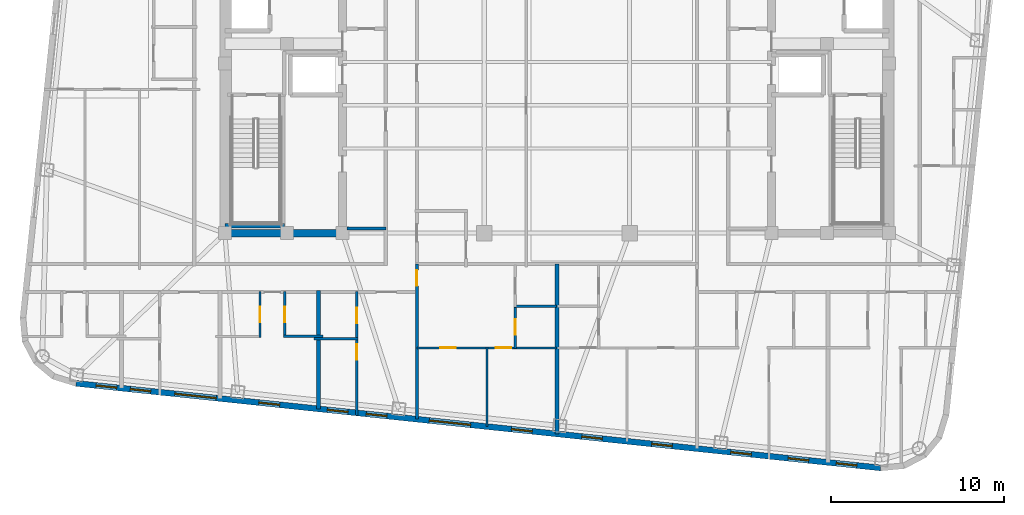
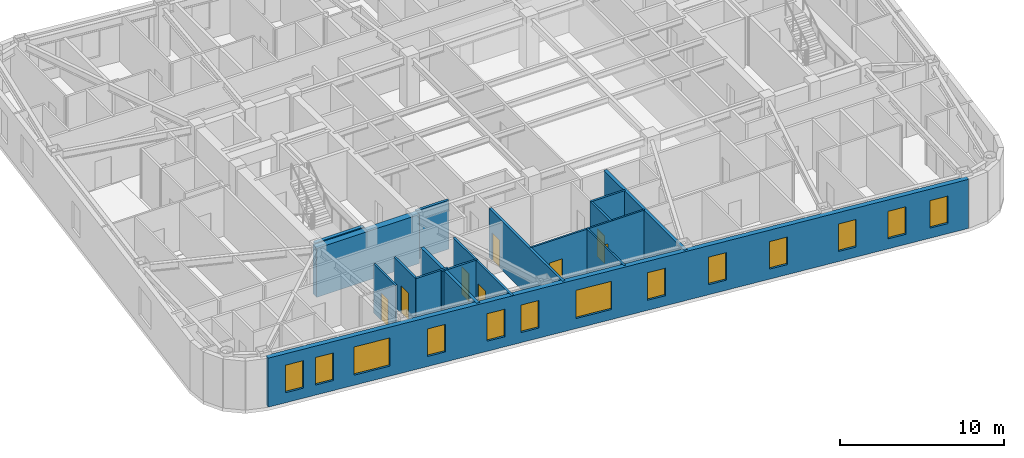
# One storey, part 3 of 11: 17 walls, 13 windows, 8 doors, 21 openings.
"""IFC4 building model written with IfcOpenShell, lengths in metres."""

from ifc_helpers import new_model, si_unit, direction, frame, frame_2d, origin, place, context, subcontext, project, spatial, rectangle, extrude, material, layer, layer_set, type_object, element, fill, save


model = new_model("IFC4")

# Units and contexts
model_context = context("Model", 3, precision=1e-05, world=origin(), true_north=direction((0.0, 1.0)))
body_context = subcontext(model_context, "Body", "Model", "MODEL_VIEW")
ifc_project = project(units=[si_unit("LENGTHUNIT", "METRE"), si_unit("AREAUNIT", "SQUARE_METRE"), si_unit("VOLUMEUNIT", "CUBIC_METRE"), si_unit("PLANEANGLEUNIT", "RADIAN"), si_unit("MASSUNIT", "GRAM", prefix="KILO")], contexts=[model_context])

# Site, building, storey
site_placement = place(None, origin())
site = spatial("IfcSite", under=ifc_project, at=site_placement, CompositionType="ELEMENT")
building_placement = place(site_placement, origin())
building = spatial("IfcBuilding", under=site, at=building_placement, Name="Voryun Gate Residences", CompositionType="ELEMENT")
storey_placement = place(building_placement, frame((0.0, 0.0, 279.5)))
storey = spatial("IfcBuildingStorey", under=building, at=storey_placement, Name="L69", CompositionType="ELEMENT", Elevation=279.5)

# Walls
ifc_material_1 = material(Name="Concrete C50/60", Category="concrete")
ifc_layer_1 = layer(ifc_material_1, 0.449951171875, Name="CW_CORE_450")
ifc_layer_set_1 = layer_set([ifc_layer_1], Name="Concrete C50/60")
wall_type_1 = type_object("IfcWallType", Name="CW_CORE_450", PredefinedType="SHEAR", material=ifc_layer_set_1)
wall_1_placement = place(storey_placement, frame((-19.425048828125, -7.39990234375, 0.0), z_axis=(0.0, 0.0, 1.0), x_axis=(1.0, 0.0, 0.0)))
element("IfcWall", 1, at=wall_1_placement, inside=storey, type_object=wall_type_1, Name="L69 Core shear wall CW-L69-WS", PredefinedType="SHEAR", context=body_context, shape_type="SweptSolid", body=[
    extrude(rectangle(XDim=7.25, YDim=0.449951171875, at=frame_2d((3.625, 0.0))), origin(), (0.0, 0.0, 1.0), 3.64990234375),
])
ifc_material_2 = material(Name="Gypsum acoustic fireboard")
ifc_layer_2 = layer(ifc_material_2, 0.179931640625, Name="W_CORR_RATED_180")
ifc_layer_set_2 = layer_set([ifc_layer_2], Name="Gypsum acoustic fireboard")
wall_type_2 = type_object("IfcWallType", Name="W_CORR_RATED_180", PredefinedType="PARTITIONING", material=ifc_layer_set_2)
wall_2_placement = place(storey_placement, frame((-12.14990234375, -7.1201171875, 0.0), z_axis=(0.0, 0.0, 1.0), x_axis=(1.0, 0.0, 0.0)))
element("IfcWall", 2, at=wall_2_placement, inside=storey, type_object=wall_type_2, Name="Partition wall WP-L69-PLBS-W", PredefinedType="PARTITIONING", context=body_context, shape_type="SweptSolid", body=[
    extrude(rectangle(XDim=2.27001953125, YDim=0.179931640625, at=frame_2d((1.135009765625, 0.0))), origin(), (0.0, 0.0, 1.0), 3.64990234375),
])

# Wall, opening, door
wall_3_placement = place(storey_placement, frame((-8.10009765625, -18.154541015625, 0.0), z_axis=(0.0, 0.0, 1.0), x_axis=(0.0, 1.0, 0.0)))
wall_3 = element("IfcWall", 3, at=wall_3_placement, inside=storey, type_object=wall_type_2, Name="Partition wall WP-L69-SZV-1", PredefinedType="PARTITIONING", context=body_context, shape_type="SweptSolid", body=[
    extrude(rectangle(XDim=8.964599609375, YDim=0.179931640625, at=frame_2d((4.482421875, 0.0))), origin(), (0.0, 0.0, 1.0), 3.64990234375),
])
opening_1_placement = place(wall_3_placement, frame((7.71484375, 0.0, 0.0)))
opening_1 = element("IfcOpeningElement", 4, at=opening_1_placement, cuts=wall_3, Name="Opening D-INT-2", PredefinedType="OPENING", context=body_context, shape_type="SweptSolid", body=[
    extrude(rectangle(XDim=0.89990234375, YDim=2.050048828125, at=frame_2d((0.449951171875, 1.02490234375))), frame((0.0, 0.099853515625, 0.0), z_axis=(0.0, -1.0, 0.0), x_axis=(1.0, 0.0, 0.0)), (0.0, 0.0, 1.0), 0.199951171875),
])
ifc_material_3 = material(Name="Architectural oak veneer")
door_type = type_object("IfcDoorType", Name="DR_INT_BATH_900", OperationType="NOTDEFINED", PredefinedType="DOOR", material=ifc_material_3)
door_1_placement = place(opening_1_placement, origin())
door_1 = element("IfcDoor", 5, at=door_1_placement, inside=storey, type_object=door_type, Name="Door DR-L69-SZENT-1", OperationType="SINGLE_SWING_LEFT", OverallHeight=2.050048828125, OverallWidth=0.89990234375, PredefinedType="DOOR", context=body_context, shape_type="SweptSolid", body=[
    extrude(rectangle(XDim=0.89990234375, YDim=2.050048828125, at=frame_2d((0.449951171875, 1.02490234375))), frame((0.0, 0.02490234375, 0.0), z_axis=(0.0, -1.0, 0.0), x_axis=(1.0, 0.0, 0.0)), (0.0, 0.0, 1.0), 0.050048828125),
])
fill(opening_1, door_1)

# Wall, openings, windows
ifc_material_4 = material(Name="Charcoal terracotta masonry", Category="masonry")
ifc_layer_3 = layer(ifc_material_4, 0.340087890625, Name="W_EXT_TERRACOTTA_340")
ifc_layer_set_3 = layer_set([ifc_layer_3], Name="Charcoal terracotta masonry")
wall_type_3 = type_object("IfcWallType", Name="W_EXT_TERRACOTTA_340", PredefinedType="ELEMENTEDWALL", material=ifc_layer_set_3)
wall_4_placement = place(storey_placement, frame((18.707763671875, -20.97216796875, 0.0), z_axis=(0.0, 0.0, 1.0), x_axis=(-0.994521888554, 0.104528528102, 0.0)))
wall_4 = element("IfcWall", 6, at=wall_4_placement, inside=storey, type_object=wall_type_3, Name="Exterior wall WEXT-L69-01", PredefinedType="ELEMENTEDWALL", context=body_context, shape_type="SweptSolid", body=[
    extrude(rectangle(XDim=46.766357421875, YDim=0.340087890625, at=frame_2d((23.38330078125, 0.0))), origin(), (0.0, 0.0, 1.0), 3.64990234375),
])
opening_2_placement = place(wall_4_placement, frame((23.833251953125, 0.0, 0.75)))
opening_2 = element("IfcOpeningElement", 7, at=opening_2_placement, cuts=wall_4, Name="Opening WN2", PredefinedType="OPENING", context=body_context, shape_type="SweptSolid", body=[
    extrude(rectangle(XDim=2.39990234375, YDim=2.10009765625, at=frame_2d((1.199951171875, 1.050048828125))), frame((0.0, 0.179931640625, 0.0), z_axis=(0.0, -1.0, 0.0), x_axis=(1.0, 0.0, 0.0)), (0.0, 0.0, 1.0), 0.360107421875),
])
opening_3_placement = place(wall_4_placement, frame((38.6220703125, 0.0, 0.75)))
opening_3 = element("IfcOpeningElement", 8, at=opening_3_placement, cuts=wall_4, Name="Opening WN2", PredefinedType="OPENING", context=body_context, shape_type="SweptSolid", body=[
    extrude(rectangle(XDim=2.39990234375, YDim=2.10009765625, at=frame_2d((1.199951171875, 1.050048828125))), frame((0.0, 0.179931640625, 0.0), z_axis=(0.0, -1.0, 0.0), x_axis=(1.0, 0.0, 0.0)), (0.0, 0.0, 1.0), 0.360107421875),
])
opening_4_placement = place(wall_4_placement, frame((44.40185546875, 0.0, 0.75)))
opening_4 = element("IfcOpeningElement", 9, at=opening_4_placement, cuts=wall_4, Name="Opening WN6", PredefinedType="OPENING", context=body_context, shape_type="SweptSolid", body=[
    extrude(rectangle(XDim=1.199951171875, YDim=2.050048828125, at=frame_2d((0.60009765625, 1.02490234375))), frame((0.0, 0.179931640625, 0.0), z_axis=(0.0, -1.0, 0.0), x_axis=(1.0, 0.0, 0.0)), (0.0, 0.0, 1.0), 0.360107421875),
])
opening_5_placement = place(wall_4_placement, frame((42.418701171875, 0.0, 0.75)))
opening_5 = element("IfcOpeningElement", 10, at=opening_5_placement, cuts=wall_4, Name="Opening WN6", PredefinedType="OPENING", context=body_context, shape_type="SweptSolid", body=[
    extrude(rectangle(XDim=1.199951171875, YDim=2.050048828125, at=frame_2d((0.60009765625, 1.02490234375))), frame((0.0, 0.179931640625, 0.0), z_axis=(0.0, -1.0, 0.0), x_axis=(1.0, 0.0, 0.0)), (0.0, 0.0, 1.0), 0.360107421875),
])
opening_6_placement = place(wall_4_placement, frame((34.93310546875, 0.0, 0.75)))
opening_6 = element("IfcOpeningElement", 11, at=opening_6_placement, cuts=wall_4, Name="Opening WN6", PredefinedType="OPENING", context=body_context, shape_type="SweptSolid", body=[
    extrude(rectangle(XDim=1.199951171875, YDim=2.050048828125, at=frame_2d((0.60009765625, 1.02490234375))), frame((0.0, 0.179931640625, 0.0), z_axis=(0.0, -1.0, 0.0), x_axis=(1.0, 0.0, 0.0)), (0.0, 0.0, 1.0), 0.360107421875),
])
opening_7_placement = place(wall_4_placement, frame((28.69189453125, 0.0, 0.75)))
opening_7 = element("IfcOpeningElement", 12, at=opening_7_placement, cuts=wall_4, Name="Opening WN6", PredefinedType="OPENING", context=body_context, shape_type="SweptSolid", body=[
    extrude(rectangle(XDim=1.199951171875, YDim=2.050048828125, at=frame_2d((0.60009765625, 1.02490234375))), frame((0.0, 0.179931640625, 0.0), z_axis=(0.0, -1.0, 0.0), x_axis=(1.0, 0.0, 0.0)), (0.0, 0.0, 1.0), 0.360107421875),
])
opening_8_placement = place(wall_4_placement, frame((30.95703125, 0.0, 0.75)))
opening_8 = element("IfcOpeningElement", 13, at=opening_8_placement, cuts=wall_4, Name="Opening WN6", PredefinedType="OPENING", context=body_context, shape_type="SweptSolid", body=[
    extrude(rectangle(XDim=1.199951171875, YDim=2.050048828125, at=frame_2d((0.60009765625, 1.02490234375))), frame((0.0, 0.179931640625, 0.0), z_axis=(0.0, -1.0, 0.0), x_axis=(1.0, 0.0, 0.0)), (0.0, 0.0, 1.0), 0.360107421875),
])
opening_9_placement = place(wall_4_placement, frame((7.510009765625, 0.0, 0.75)))
opening_9 = element("IfcOpeningElement", 14, at=opening_9_placement, cuts=wall_4, Name="Opening WN6", PredefinedType="OPENING", context=body_context, shape_type="SweptSolid", body=[
    extrude(rectangle(XDim=1.199951171875, YDim=2.050048828125, at=frame_2d((0.60009765625, 1.02490234375))), frame((0.0, 0.179931640625, 0.0), z_axis=(0.0, -1.0, 0.0), x_axis=(1.0, 0.0, 0.0)), (0.0, 0.0, 1.0), 0.360107421875),
])
opening_10_placement = place(wall_4_placement, frame((4.17724609375, 0.0, 0.75)))
opening_10 = element("IfcOpeningElement", 15, at=opening_10_placement, cuts=wall_4, Name="Opening WN6", PredefinedType="OPENING", context=body_context, shape_type="SweptSolid", body=[
    extrude(rectangle(XDim=1.199951171875, YDim=2.050048828125, at=frame_2d((0.60009765625, 1.02490234375))), frame((0.0, 0.179931640625, 0.0), z_axis=(0.0, -1.0, 0.0), x_axis=(1.0, 0.0, 0.0)), (0.0, 0.0, 1.0), 0.360107421875),
])
opening_11_placement = place(wall_4_placement, frame((1.377685546875, 0.0, 0.75)))
opening_11 = element("IfcOpeningElement", 16, at=opening_11_placement, cuts=wall_4, Name="Opening WN6", PredefinedType="OPENING", context=body_context, shape_type="SweptSolid", body=[
    extrude(rectangle(XDim=1.199951171875, YDim=2.050048828125, at=frame_2d((0.60009765625, 1.02490234375))), frame((0.0, 0.179931640625, 0.0), z_axis=(0.0, -1.0, 0.0), x_axis=(1.0, 0.0, 0.0)), (0.0, 0.0, 1.0), 0.360107421875),
])
opening_12_placement = place(wall_4_placement, frame((20.25439453125, 0.0, 0.75)))
opening_12 = element("IfcOpeningElement", 17, at=opening_12_placement, cuts=wall_4, Name="Opening WN6", PredefinedType="OPENING", context=body_context, shape_type="SweptSolid", body=[
    extrude(rectangle(XDim=1.199951171875, YDim=2.050048828125, at=frame_2d((0.60009765625, 1.02490234375))), frame((0.0, 0.179931640625, 0.0), z_axis=(0.0, -1.0, 0.0), x_axis=(1.0, 0.0, 0.0)), (0.0, 0.0, 1.0), 0.360107421875),
])
opening_13_placement = place(wall_4_placement, frame((16.172119140625, 0.0, 0.75)))
opening_13 = element("IfcOpeningElement", 18, at=opening_13_placement, cuts=wall_4, Name="Opening WN6", PredefinedType="OPENING", context=body_context, shape_type="SweptSolid", body=[
    extrude(rectangle(XDim=1.199951171875, YDim=2.050048828125, at=frame_2d((0.60009765625, 1.02490234375))), frame((0.0, 0.179931640625, 0.0), z_axis=(0.0, -1.0, 0.0), x_axis=(1.0, 0.0, 0.0)), (0.0, 0.0, 1.0), 0.360107421875),
])
opening_14_placement = place(wall_4_placement, frame((12.109619140625, 0.0, 0.75)))
opening_14 = element("IfcOpeningElement", 19, at=opening_14_placement, cuts=wall_4, Name="Opening WN6", PredefinedType="OPENING", context=body_context, shape_type="SweptSolid", body=[
    extrude(rectangle(XDim=1.199951171875, YDim=2.050048828125, at=frame_2d((0.60009765625, 1.02490234375))), frame((0.0, 0.179931640625, 0.0), z_axis=(0.0, -1.0, 0.0), x_axis=(1.0, 0.0, 0.0)), (0.0, 0.0, 1.0), 0.360107421875),
])
ifc_material_5 = material(Name="Laminated low-E glass", Category="glass")
window_type_1 = type_object("IfcWindowType", Name="WN_POD_SLOT_1200", PartitioningType="SINGLE_PANEL", PredefinedType="WINDOW", material=ifc_material_5)
window_1_placement = place(opening_4_placement, origin())
window_1 = element("IfcWindow", 20, at=window_1_placement, inside=storey, type_object=window_type_1, Name="Window WN-L69-DWFIX-13", OverallHeight=2.050048828125, OverallWidth=1.199951171875, PartitioningType="SINGLE_PANEL", PredefinedType="WINDOW", context=body_context, shape_type="SweptSolid", body=[
    extrude(rectangle(XDim=1.199951171875, YDim=2.050048828125, at=frame_2d((0.60009765625, 1.02490234375))), frame((0.0, 0.030029296875, 0.0), z_axis=(0.0, -1.0, 0.0), x_axis=(1.0, 0.0, 0.0)), (0.0, 0.0, 1.0), 0.06005859375),
])
fill(opening_4, window_1)
window_2_placement = place(opening_5_placement, origin())
window_2 = element("IfcWindow", 21, at=window_2_placement, inside=storey, type_object=window_type_1, Name="Window WN-L69-DWFIX-14", OverallHeight=2.050048828125, OverallWidth=1.199951171875, PartitioningType="SINGLE_PANEL", PredefinedType="WINDOW", context=body_context, shape_type="SweptSolid", body=[
    extrude(rectangle(XDim=1.199951171875, YDim=2.050048828125, at=frame_2d((0.60009765625, 1.02490234375))), frame((0.0, 0.030029296875, 0.0), z_axis=(0.0, -1.0, 0.0), x_axis=(1.0, 0.0, 0.0)), (0.0, 0.0, 1.0), 0.06005859375),
])
fill(opening_5, window_2)
window_3_placement = place(opening_6_placement, origin())
window_3 = element("IfcWindow", 22, at=window_3_placement, inside=storey, type_object=window_type_1, Name="Window WN-L69-DWFIX-15", OverallHeight=2.050048828125, OverallWidth=1.199951171875, PartitioningType="SINGLE_PANEL", PredefinedType="WINDOW", context=body_context, shape_type="SweptSolid", body=[
    extrude(rectangle(XDim=1.199951171875, YDim=2.050048828125, at=frame_2d((0.60009765625, 1.02490234375))), frame((0.0, 0.030029296875, 0.0), z_axis=(0.0, -1.0, 0.0), x_axis=(1.0, 0.0, 0.0)), (0.0, 0.0, 1.0), 0.06005859375),
])
fill(opening_6, window_3)
window_4_placement = place(opening_7_placement, origin())
window_4 = element("IfcWindow", 23, at=window_4_placement, inside=storey, type_object=window_type_1, Name="Window WN-L69-DWFIX-16", OverallHeight=2.050048828125, OverallWidth=1.199951171875, PartitioningType="SINGLE_PANEL", PredefinedType="WINDOW", context=body_context, shape_type="SweptSolid", body=[
    extrude(rectangle(XDim=1.199951171875, YDim=2.050048828125, at=frame_2d((0.60009765625, 1.02490234375))), frame((0.0, 0.030029296875, 0.0), z_axis=(0.0, -1.0, 0.0), x_axis=(1.0, 0.0, 0.0)), (0.0, 0.0, 1.0), 0.06005859375),
])
fill(opening_7, window_4)
window_5_placement = place(opening_8_placement, origin())
window_5 = element("IfcWindow", 24, at=window_5_placement, inside=storey, type_object=window_type_1, Name="Window WN-L69-DWFIX-17", OverallHeight=2.050048828125, OverallWidth=1.199951171875, PartitioningType="SINGLE_PANEL", PredefinedType="WINDOW", context=body_context, shape_type="SweptSolid", body=[
    extrude(rectangle(XDim=1.199951171875, YDim=2.050048828125, at=frame_2d((0.60009765625, 1.02490234375))), frame((0.0, 0.030029296875, 0.0), z_axis=(0.0, -1.0, 0.0), x_axis=(1.0, 0.0, 0.0)), (0.0, 0.0, 1.0), 0.06005859375),
])
fill(opening_8, window_5)
window_6_placement = place(opening_9_placement, origin())
window_6 = element("IfcWindow", 25, at=window_6_placement, inside=storey, type_object=window_type_1, Name="Window WN-L69-DWFIX-18", OverallHeight=2.050048828125, OverallWidth=1.199951171875, PartitioningType="SINGLE_PANEL", PredefinedType="WINDOW", context=body_context, shape_type="SweptSolid", body=[
    extrude(rectangle(XDim=1.199951171875, YDim=2.050048828125, at=frame_2d((0.60009765625, 1.02490234375))), frame((0.0, 0.030029296875, 0.0), z_axis=(0.0, -1.0, 0.0), x_axis=(1.0, 0.0, 0.0)), (0.0, 0.0, 1.0), 0.06005859375),
])
fill(opening_9, window_6)
window_7_placement = place(opening_10_placement, origin())
window_7 = element("IfcWindow", 26, at=window_7_placement, inside=storey, type_object=window_type_1, Name="Window WN-L69-DWFIX-19", OverallHeight=2.050048828125, OverallWidth=1.199951171875, PartitioningType="SINGLE_PANEL", PredefinedType="WINDOW", context=body_context, shape_type="SweptSolid", body=[
    extrude(rectangle(XDim=1.199951171875, YDim=2.050048828125, at=frame_2d((0.60009765625, 1.02490234375))), frame((0.0, 0.030029296875, 0.0), z_axis=(0.0, -1.0, 0.0), x_axis=(1.0, 0.0, 0.0)), (0.0, 0.0, 1.0), 0.06005859375),
])
fill(opening_10, window_7)
window_8_placement = place(opening_11_placement, origin())
window_8 = element("IfcWindow", 27, at=window_8_placement, inside=storey, type_object=window_type_1, Name="Window WN-L69-DWFIX-20", OverallHeight=2.050048828125, OverallWidth=1.199951171875, PartitioningType="SINGLE_PANEL", PredefinedType="WINDOW", context=body_context, shape_type="SweptSolid", body=[
    extrude(rectangle(XDim=1.199951171875, YDim=2.050048828125, at=frame_2d((0.60009765625, 1.02490234375))), frame((0.0, 0.030029296875, 0.0), z_axis=(0.0, -1.0, 0.0), x_axis=(1.0, 0.0, 0.0)), (0.0, 0.0, 1.0), 0.06005859375),
])
fill(opening_11, window_8)
window_9_placement = place(opening_12_placement, origin())
window_9 = element("IfcWindow", 28, at=window_9_placement, inside=storey, type_object=window_type_1, Name="Window WN-L69-DWFIX-22", OverallHeight=2.050048828125, OverallWidth=1.199951171875, PartitioningType="SINGLE_PANEL", PredefinedType="WINDOW", context=body_context, shape_type="SweptSolid", body=[
    extrude(rectangle(XDim=1.199951171875, YDim=2.050048828125, at=frame_2d((0.60009765625, 1.02490234375))), frame((0.0, 0.030029296875, 0.0), z_axis=(0.0, -1.0, 0.0), x_axis=(1.0, 0.0, 0.0)), (0.0, 0.0, 1.0), 0.06005859375),
])
fill(opening_12, window_9)
window_10_placement = place(opening_13_placement, origin())
window_10 = element("IfcWindow", 29, at=window_10_placement, inside=storey, type_object=window_type_1, Name="Window WN-L69-DWFIX-23", OverallHeight=2.050048828125, OverallWidth=1.199951171875, PartitioningType="SINGLE_PANEL", PredefinedType="WINDOW", context=body_context, shape_type="SweptSolid", body=[
    extrude(rectangle(XDim=1.199951171875, YDim=2.050048828125, at=frame_2d((0.60009765625, 1.02490234375))), frame((0.0, 0.030029296875, 0.0), z_axis=(0.0, -1.0, 0.0), x_axis=(1.0, 0.0, 0.0)), (0.0, 0.0, 1.0), 0.06005859375),
])
fill(opening_13, window_10)
window_11_placement = place(opening_14_placement, origin())
window_11 = element("IfcWindow", 30, at=window_11_placement, inside=storey, type_object=window_type_1, Name="Window WN-L69-DWFIX-24", OverallHeight=2.050048828125, OverallWidth=1.199951171875, PartitioningType="SINGLE_PANEL", PredefinedType="WINDOW", context=body_context, shape_type="SweptSolid", body=[
    extrude(rectangle(XDim=1.199951171875, YDim=2.050048828125, at=frame_2d((0.60009765625, 1.02490234375))), frame((0.0, 0.030029296875, 0.0), z_axis=(0.0, -1.0, 0.0), x_axis=(1.0, 0.0, 0.0)), (0.0, 0.0, 1.0), 0.06005859375),
])
fill(opening_14, window_11)
ifc_material_6 = material(Name="Laminated low-E glass", Category="glass")
window_type_2 = type_object("IfcWindowType", Name="WN_RES_WIDE_2400", PartitioningType="SINGLE_PANEL", PredefinedType="WINDOW", material=ifc_material_6)
window_12_placement = place(opening_2_placement, origin())
window_12 = element("IfcWindow", 31, at=window_12_placement, inside=storey, type_object=window_type_2, Name="Window WN-WEXT-L69-01-02", OverallHeight=2.10009765625, OverallWidth=2.39990234375, PartitioningType="SINGLE_PANEL", PredefinedType="WINDOW", context=body_context, shape_type="SweptSolid", body=[
    extrude(rectangle(XDim=2.39990234375, YDim=2.10009765625, at=frame_2d((1.199951171875, 1.050048828125))), frame((0.0, 0.030029296875, 0.0), z_axis=(0.0, -1.0, 0.0), x_axis=(1.0, 0.0, 0.0)), (0.0, 0.0, 1.0), 0.06005859375),
])
fill(opening_2, window_12)
window_13_placement = place(opening_3_placement, origin())
window_13 = element("IfcWindow", 32, at=window_13_placement, inside=storey, type_object=window_type_2, Name="Window WN-WEXT-L69-01-03", OverallHeight=2.10009765625, OverallWidth=2.39990234375, PartitioningType="SINGLE_PANEL", PredefinedType="WINDOW", context=body_context, shape_type="SweptSolid", body=[
    extrude(rectangle(XDim=2.39990234375, YDim=2.10009765625, at=frame_2d((1.199951171875, 1.050048828125))), frame((0.0, 0.030029296875, 0.0), z_axis=(0.0, -1.0, 0.0), x_axis=(1.0, 0.0, 0.0)), (0.0, 0.0, 1.0), 0.06005859375),
])
fill(opening_3, window_13)

# Walls
ifc_material_7 = material(Name="Concrete C40/50", Category="concrete")
ifc_layer_4 = layer(ifc_material_7, 0.219970703125, Name="W_PARTY_ACOUSTIC_220")
ifc_layer_set_4 = layer_set([ifc_layer_4], Name="Concrete C40/50")
wall_type_4 = type_object("IfcWallType", Name="W_PARTY_ACOUSTIC_220", PredefinedType="PARTITIONING", material=ifc_layer_set_4)
wall_5_placement = place(storey_placement, frame((-13.779052734375, -17.5576171875, 0.0), z_axis=(0.0, 0.0, 1.0), x_axis=(0.0, 1.0, 0.0)))
element("IfcWall", 33, at=wall_5_placement, inside=storey, type_object=wall_type_4, Name="Partition wall WP-L69-SPTY-3", PredefinedType="PARTITIONING", context=body_context, shape_type="SweptSolid", body=[
    extrude(rectangle(XDim=6.837646484375, YDim=0.219970703125, at=frame_2d((3.4189453125, 0.0))), origin(), (0.0, 0.0, 1.0), 3.64990234375),
])
wall_6_placement = place(storey_placement, frame((0.0, -19.005859375, 0.0), z_axis=(0.0, 0.0, 1.0), x_axis=(0.0, 1.0, 0.0)))
element("IfcWall", 34, at=wall_6_placement, inside=storey, type_object=wall_type_4, Name="Partition wall WP-L69-SZMID", PredefinedType="PARTITIONING", context=body_context, shape_type="SweptSolid", body=[
    extrude(rectangle(XDim=9.81591796875, YDim=0.219970703125, at=frame_2d((4.907958984375, 0.0))), origin(), (0.0, 0.0, 1.0), 3.64990234375),
])
ifc_material_8 = material(Name="Concrete C50/60", Category="concrete")
ifc_layer_5 = layer(ifc_material_8, 0.25, Name="W_SHAFT_RC250")
ifc_layer_set_5 = layer_set([ifc_layer_5], Name="Concrete C50/60")
wall_type_5 = type_object("IfcWallType", Name="W_SHAFT_RC250", PredefinedType="SOLIDWALL", material=ifc_layer_set_5)
wall_7_placement = place(storey_placement, frame((-19.199951171875, -6.965087890625, 0.0), z_axis=(0.0, 0.0, 1.0), x_axis=(1.0, 0.0, 0.0)))
element("IfcWall", 35, at=wall_7_placement, inside=storey, type_object=wall_type_5, Name="L69 Stair shaft structural wall W-STS", PredefinedType="SOLIDWALL", context=body_context, shape_type="SweptSolid", body=[
    extrude(rectangle(XDim=3.4599609375, YDim=0.25, at=frame_2d((1.72998046875, 0.0))), origin(), (0.0, 0.0, 1.0), 3.64990234375),
])

# Wall, opening, door
ifc_material_9 = material(Name="Gypsum acoustic partition")
ifc_layer_6 = layer(ifc_material_9, 0.125, Name="W_UNIT_PART_125")
ifc_layer_set_6 = layer_set([ifc_layer_6], Name="Gypsum acoustic partition")
wall_type_6 = type_object("IfcWallType", Name="W_UNIT_PART_125", PredefinedType="PARTITIONING", material=ifc_layer_set_6)
wall_8_placement = place(storey_placement, frame((-17.16796875, -13.429931640625, 0.0), z_axis=(0.0, 0.0, 1.0), x_axis=(0.0, 1.0, 0.0)))
wall_8 = element("IfcWall", 36, at=wall_8_placement, inside=storey, type_object=wall_type_6, Name="Partition wall WP-L69-S3-CVK", PredefinedType="PARTITIONING", context=body_context, shape_type="SweptSolid", body=[
    extrude(rectangle(XDim=2.64990234375, YDim=0.125, at=frame_2d((1.324951171875, 0.0))), origin(), (0.0, 0.0, 1.0), 3.64990234375),
])
opening_15_placement = place(wall_8_placement, frame((0.875, 0.0, 0.0)))
opening_15 = element("IfcOpeningElement", 37, at=opening_15_placement, cuts=wall_8, Name="Opening D-INT-2", PredefinedType="OPENING", context=body_context, shape_type="SweptSolid", body=[
    extrude(rectangle(XDim=0.89990234375, YDim=2.050048828125, at=frame_2d((0.449951171875, 1.02490234375))), frame((0.0, 0.072509765625, 0.0), z_axis=(0.0, -1.0, 0.0), x_axis=(1.0, 0.0, 0.0)), (0.0, 0.0, 1.0), 0.14501953125),
])
door_2_placement = place(opening_15_placement, origin())
door_2 = element("IfcDoor", 38, at=door_2_placement, inside=storey, type_object=door_type, Name="Door DR-L69-S3-DK", OperationType="SINGLE_SWING_LEFT", OverallHeight=2.050048828125, OverallWidth=0.89990234375, PredefinedType="DOOR", context=body_context, shape_type="SweptSolid", body=[
    extrude(rectangle(XDim=0.89990234375, YDim=2.050048828125, at=frame_2d((0.449951171875, 1.02490234375))), frame((0.0, 0.02490234375, 0.0), z_axis=(0.0, -1.0, 0.0), x_axis=(1.0, 0.0, 0.0)), (0.0, 0.0, 1.0), 0.050048828125),
])
fill(opening_15, door_2)

# Wall, openings, doors
wall_9_placement = place(storey_placement, frame((-8.080078125, -14.030029296875, 0.0), z_axis=(0.0, 0.0, 1.0), x_axis=(1.0, 0.0, 0.0)))
wall_9 = element("IfcWall", 39, at=wall_9_placement, inside=storey, type_object=wall_type_6, Name="Partition wall WP-L69-SC1-HZ", PredefinedType="PARTITIONING", context=body_context, shape_type="SweptSolid", body=[
    extrude(rectangle(XDim=8.06005859375, YDim=0.125, at=frame_2d((4.030029296875, 0.0))), origin(), (0.0, 0.0, 1.0), 3.64990234375),
])
opening_16_placement = place(wall_9_placement, frame((1.3232421875, 0.0, 0.0)))
opening_16 = element("IfcOpeningElement", 40, at=opening_16_placement, cuts=wall_9, Name="Opening D-INT-2", PredefinedType="OPENING", context=body_context, shape_type="SweptSolid", body=[
    extrude(rectangle(XDim=0.89990234375, YDim=2.050048828125, at=frame_2d((0.449951171875, 1.02490234375))), frame((0.0, 0.072509765625, 0.0), z_axis=(0.0, -1.0, 0.0), x_axis=(1.0, 0.0, 0.0)), (0.0, 0.0, 1.0), 0.14501953125),
])
opening_17_placement = place(wall_9_placement, frame((4.547119140625, 0.0, 0.0)))
opening_17 = element("IfcOpeningElement", 41, at=opening_17_placement, cuts=wall_9, Name="Opening D-INT-2", PredefinedType="OPENING", context=body_context, shape_type="SweptSolid", body=[
    extrude(rectangle(XDim=0.89990234375, YDim=2.050048828125, at=frame_2d((0.449951171875, 1.02490234375))), frame((0.0, 0.072509765625, 0.0), z_axis=(0.0, -1.0, 0.0), x_axis=(1.0, 0.0, 0.0)), (0.0, 0.0, 1.0), 0.14501953125),
])
door_3_placement = place(opening_16_placement, origin())
door_3 = element("IfcDoor", 42, at=door_3_placement, inside=storey, type_object=door_type, Name="Door DR-L69-SC1-DMB", OperationType="SINGLE_SWING_LEFT", OverallHeight=2.050048828125, OverallWidth=0.89990234375, PredefinedType="DOOR", context=body_context, shape_type="SweptSolid", body=[
    extrude(rectangle(XDim=0.89990234375, YDim=2.050048828125, at=frame_2d((0.449951171875, 1.02490234375))), frame((0.0, 0.02490234375, 0.0), z_axis=(0.0, -1.0, 0.0), x_axis=(1.0, 0.0, 0.0)), (0.0, 0.0, 1.0), 0.050048828125),
])
fill(opening_16, door_3)
door_4_placement = place(opening_17_placement, origin())
door_4 = element("IfcDoor", 43, at=door_4_placement, inside=storey, type_object=door_type, Name="Door DR-L69-SC1-DBD2", OperationType="SINGLE_SWING_RIGHT", OverallHeight=2.050048828125, OverallWidth=0.89990234375, PredefinedType="DOOR", context=body_context, shape_type="SweptSolid", body=[
    extrude(rectangle(XDim=0.89990234375, YDim=2.050048828125, at=frame_2d((0.449951171875, 1.02490234375))), frame((0.0, 0.02490234375, 0.0), z_axis=(0.0, -1.0, 0.0), x_axis=(1.0, 0.0, 0.0)), (0.0, 0.0, 1.0), 0.050048828125),
])
fill(opening_17, door_4)

# Wall
wall_10_placement = place(storey_placement, frame((-4.050048828125, -18.580078125, 0.0), z_axis=(0.0, 0.0, 1.0), x_axis=(0.0, 1.0, 0.0)))
element("IfcWall", 44, at=wall_10_placement, inside=storey, type_object=wall_type_6, Name="Partition wall WP-L69-SC1-VBD", PredefinedType="PARTITIONING", context=body_context, shape_type="SweptSolid", body=[
    extrude(rectangle(XDim=4.590087890625, YDim=0.125, at=frame_2d((2.294921875, 0.0))), origin(), (0.0, 0.0, 1.0), 3.64990234375),
])

# Wall, opening, door
ifc_material_10 = material(Name="Gypsum moisture-resistant partition")
ifc_layer_7 = layer(ifc_material_10, 0.14990234375, Name="W_WET_PLUMB_150")
ifc_layer_set_7 = layer_set([ifc_layer_7], Name="Gypsum moisture-resistant partition")
wall_type_7 = type_object("IfcWallType", Name="W_WET_PLUMB_150", PredefinedType="PLUMBINGWALL", material=ifc_layer_set_7)
wall_11_placement = place(storey_placement, frame((-15.736083984375, -13.429931640625, 0.0), z_axis=(0.0, 0.0, 1.0), x_axis=(0.0, 1.0, 0.0)))
wall_11 = element("IfcWall", 45, at=wall_11_placement, inside=storey, type_object=wall_type_7, Name="Partition wall WP-L69-S3-CVB", PredefinedType="PLUMBINGWALL", context=body_context, shape_type="SweptSolid", body=[
    extrude(rectangle(XDim=2.64990234375, YDim=0.14990234375, at=frame_2d((1.324951171875, 0.0))), origin(), (0.0, 0.0, 1.0), 3.64990234375),
])
opening_18_placement = place(wall_11_placement, frame((0.875, 0.0, 0.0)))
opening_18 = element("IfcOpeningElement", 46, at=opening_18_placement, cuts=wall_11, Name="Opening D-INT-2", PredefinedType="OPENING", context=body_context, shape_type="SweptSolid", body=[
    extrude(rectangle(XDim=0.89990234375, YDim=2.050048828125, at=frame_2d((0.449951171875, 1.02490234375))), frame((0.0, 0.0849609375, 0.0), z_axis=(0.0, -1.0, 0.0), x_axis=(1.0, 0.0, 0.0)), (0.0, 0.0, 1.0), 0.169921875),
])
door_5_placement = place(opening_18_placement, origin())
door_5 = element("IfcDoor", 47, at=door_5_placement, inside=storey, type_object=door_type, Name="Door DR-L69-S3-DB", OperationType="SINGLE_SWING_RIGHT", OverallHeight=2.050048828125, OverallWidth=0.89990234375, PredefinedType="DOOR", context=body_context, shape_type="SweptSolid", body=[
    extrude(rectangle(XDim=0.89990234375, YDim=2.050048828125, at=frame_2d((0.449951171875, 1.02490234375))), frame((0.0, 0.02490234375, 0.0), z_axis=(0.0, -1.0, 0.0), x_axis=(1.0, 0.0, 0.0)), (0.0, 0.0, 1.0), 0.050048828125),
])
fill(opening_18, door_5)

# Walls
wall_12_placement = place(storey_placement, frame((-15.7958984375, -13.3701171875, 0.0), z_axis=(0.0, 0.0, 1.0), x_axis=(1.0, 0.0, 0.0)))
element("IfcWall", 48, at=wall_12_placement, inside=storey, type_object=wall_type_7, Name="Partition wall WP-L69-S3-CHB", PredefinedType="PLUMBINGWALL", context=body_context, shape_type="SweptSolid", body=[
    extrude(rectangle(XDim=2.27685546875, YDim=0.14990234375, at=frame_2d((1.138427734375, 0.0))), origin(), (0.0, 0.0, 1.0), 3.64990234375),
])
wall_13_placement = place(storey_placement, frame((-14.0390625, -13.5, 0.0), z_axis=(0.0, 0.0, 1.0), x_axis=(1.0, 0.0, 0.0)))
element("IfcWall", 49, at=wall_13_placement, inside=storey, type_object=wall_type_7, Name="Partition wall WP-L69-S4-SKB", PredefinedType="PLUMBINGWALL", context=body_context, shape_type="SweptSolid", body=[
    extrude(rectangle(XDim=2.550048828125, YDim=0.14990234375, at=frame_2d((1.27490234375, 0.0))), origin(), (0.0, 0.0, 1.0), 3.64990234375),
])

# Wall, opening, door
wall_14_placement = place(storey_placement, frame((-11.569091796875, -17.94091796875, 0.0), z_axis=(0.0, 0.0, 1.0), x_axis=(0.0, 1.0, 0.0)))
wall_14 = element("IfcWall", 50, at=wall_14_placement, inside=storey, type_object=wall_type_7, Name="Partition wall WP-L69-S4-SVT1", PredefinedType="PLUMBINGWALL", context=body_context, shape_type="SweptSolid", body=[
    extrude(rectangle(XDim=4.48095703125, YDim=0.14990234375, at=frame_2d((2.240478515625, 0.0))), origin(), (0.0, 0.0, 1.0), 3.64990234375),
])
opening_19_placement = place(wall_14_placement, frame((3.224365234375, 0.0, 0.0)))
opening_19 = element("IfcOpeningElement", 51, at=opening_19_placement, cuts=wall_14, Name="Opening D-INT-2", PredefinedType="OPENING", context=body_context, shape_type="SweptSolid", body=[
    extrude(rectangle(XDim=0.89990234375, YDim=2.050048828125, at=frame_2d((0.449951171875, 1.02490234375))), frame((0.0, 0.0849609375, 0.0), z_axis=(0.0, -1.0, 0.0), x_axis=(1.0, 0.0, 0.0)), (0.0, 0.0, 1.0), 0.169921875),
])
door_6_placement = place(opening_19_placement, origin())
door_6 = element("IfcDoor", 52, at=door_6_placement, inside=storey, type_object=door_type, Name="Door DR-L69-S4-DK", OperationType="SINGLE_SWING_LEFT", OverallHeight=2.050048828125, OverallWidth=0.89990234375, PredefinedType="DOOR", context=body_context, shape_type="SweptSolid", body=[
    extrude(rectangle(XDim=0.89990234375, YDim=2.050048828125, at=frame_2d((0.449951171875, 1.02490234375))), frame((0.0, 0.02490234375, 0.0), z_axis=(0.0, -1.0, 0.0), x_axis=(1.0, 0.0, 0.0)), (0.0, 0.0, 1.0), 0.050048828125),
])
fill(opening_19, door_6)

wall_15_placement = place(storey_placement, frame((-11.569091796875, -13.5400390625, 0.0), z_axis=(0.0, 0.0, 1.0), x_axis=(0.0, 1.0, 0.0)))
wall_15 = element("IfcWall", 53, at=wall_15_placement, inside=storey, type_object=wall_type_7, Name="Partition wall WP-L69-S4-SVT2", PredefinedType="PLUMBINGWALL", context=body_context, shape_type="SweptSolid", body=[
    extrude(rectangle(XDim=2.760009765625, YDim=0.14990234375, at=frame_2d((1.3798828125, 0.0))), origin(), (0.0, 0.0, 1.0), 3.64990234375),
])
opening_20_placement = place(wall_15_placement, frame((0.929931640625, 0.0, 0.0)))
opening_20 = element("IfcOpeningElement", 54, at=opening_20_placement, cuts=wall_15, Name="Opening D-INT-2", PredefinedType="OPENING", context=body_context, shape_type="SweptSolid", body=[
    extrude(rectangle(XDim=0.89990234375, YDim=2.050048828125, at=frame_2d((0.449951171875, 1.02490234375))), frame((0.0, 0.0849609375, 0.0), z_axis=(0.0, -1.0, 0.0), x_axis=(1.0, 0.0, 0.0)), (0.0, 0.0, 1.0), 0.169921875),
])
door_7_placement = place(opening_20_placement, origin())
door_7 = element("IfcDoor", 55, at=door_7_placement, inside=storey, type_object=door_type, Name="Door DR-L69-S4-DB", OperationType="SINGLE_SWING_RIGHT", OverallHeight=2.050048828125, OverallWidth=0.89990234375, PredefinedType="DOOR", context=body_context, shape_type="SweptSolid", body=[
    extrude(rectangle(XDim=0.89990234375, YDim=2.050048828125, at=frame_2d((0.449951171875, 1.02490234375))), frame((0.0, 0.02490234375, 0.0), z_axis=(0.0, -1.0, 0.0), x_axis=(1.0, 0.0, 0.0)), (0.0, 0.0, 1.0), 0.050048828125),
])
fill(opening_20, door_7)

wall_16_placement = place(storey_placement, frame((-2.409912109375, -14.070068359375, 0.0), z_axis=(0.0, 0.0, 1.0), x_axis=(0.0, 1.0, 0.0)))
wall_16 = element("IfcWall", 56, at=wall_16_placement, inside=storey, type_object=wall_type_7, Name="Partition wall WP-L69-SC1-VK2", PredefinedType="PLUMBINGWALL", context=body_context, shape_type="SweptSolid", body=[
    extrude(rectangle(XDim=2.469970703125, YDim=0.14990234375, at=frame_2d((1.23486328125, 0.0))), origin(), (0.0, 0.0, 1.0), 3.64990234375),
])
opening_21_placement = place(wall_16_placement, frame((0.784912109375, 0.0, 0.0)))
opening_21 = element("IfcOpeningElement", 57, at=opening_21_placement, cuts=wall_16, Name="Opening D-INT-2", PredefinedType="OPENING", context=body_context, shape_type="SweptSolid", body=[
    extrude(rectangle(XDim=0.89990234375, YDim=2.050048828125, at=frame_2d((0.449951171875, 1.02490234375))), frame((0.0, 0.0849609375, 0.0), z_axis=(0.0, -1.0, 0.0), x_axis=(1.0, 0.0, 0.0)), (0.0, 0.0, 1.0), 0.169921875),
])
door_8_placement = place(opening_21_placement, origin())
door_8 = element("IfcDoor", 58, at=door_8_placement, inside=storey, type_object=door_type, Name="Door DR-L69-SC1-DB", OperationType="SINGLE_SWING_RIGHT", OverallHeight=2.050048828125, OverallWidth=0.89990234375, PredefinedType="DOOR", context=body_context, shape_type="SweptSolid", body=[
    extrude(rectangle(XDim=0.89990234375, YDim=2.050048828125, at=frame_2d((0.449951171875, 1.02490234375))), frame((0.0, 0.02490234375, 0.0), z_axis=(0.0, -1.0, 0.0), x_axis=(1.0, 0.0, 0.0)), (0.0, 0.0, 1.0), 0.050048828125),
])
fill(opening_21, door_8)

# Wall
wall_17_placement = place(storey_placement, frame((-2.449951171875, -11.6298828125, 0.0), z_axis=(0.0, 0.0, 1.0), x_axis=(1.0, 0.0, 0.0)))
element("IfcWall", 59, at=wall_17_placement, inside=storey, type_object=wall_type_7, Name="Partition wall WP-L69-SC1-HKB", PredefinedType="PLUMBINGWALL", context=body_context, shape_type="SweptSolid", body=[
    extrude(rectangle(XDim=2.429931640625, YDim=0.14990234375, at=frame_2d((1.21484375, 0.0))), origin(), (0.0, 0.0, 1.0), 3.64990234375),
])

save(model, "model.ifc")
